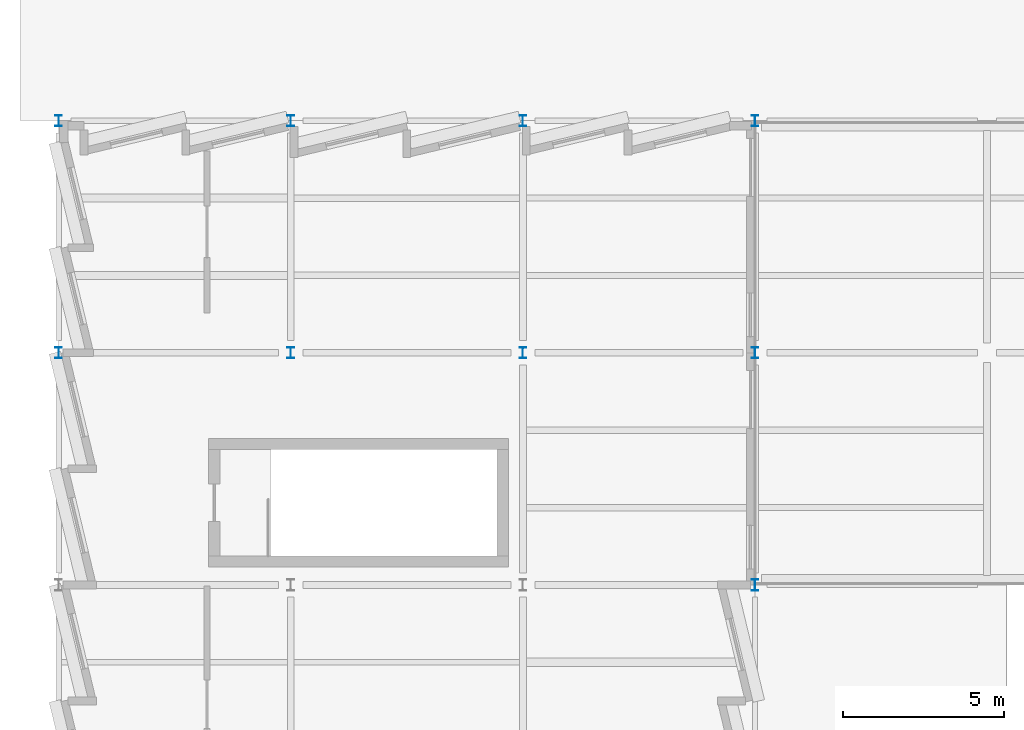
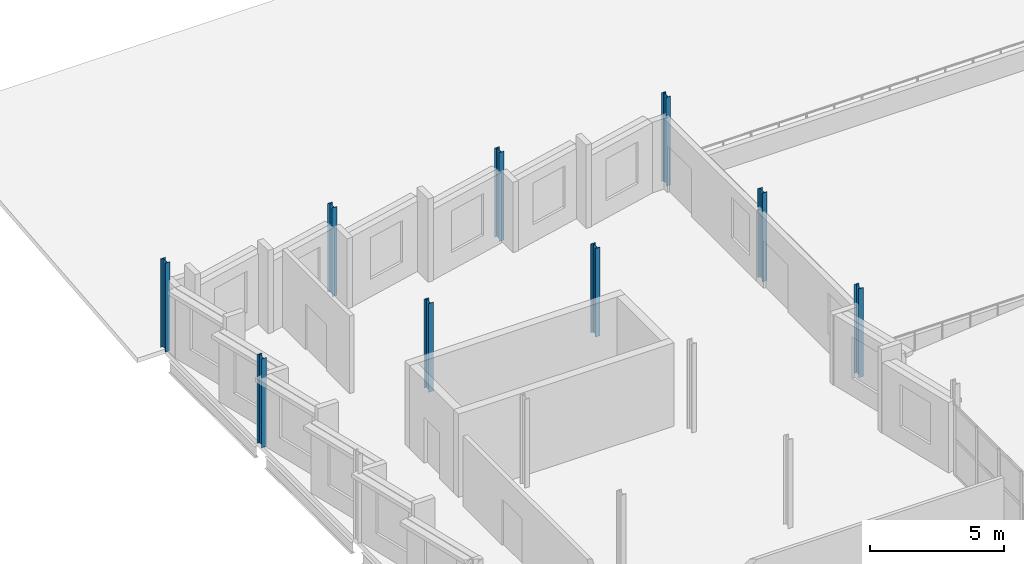
# One storey, part 7 of 38: 9 columns.
"""IFC4 building model written with IfcOpenShell, lengths in metres."""

import ifcopenshell
import ifcopenshell.guid

model = None  # the IFC model being written
_history = None  # IfcOwnerHistory: only IFC2X3 demands one
_inside = {}  # id of a spatial element -> (the spatial element, [elements in it])
_under = {}  # id of a project, library or spatial element -> (it, [spatial elements below it])
_declared = {}  # id of a project -> (the project, [libraries it declares])
_typed = {}  # id of a type object -> (the type object, [elements of that type])
_made_of = {}  # id of a material, layer set ... -> (it, [elements and type objects made of it])


def new_model(schema):
    """Start an empty IFC model of exactly this schema.

    Asked for "IFC4X3", IfcOpenShell would pick the latest addendum, in which some entities
    have other attributes; the version numbers below select the first issue.
    IFC2X3 requires an IfcOwnerHistory on every rooted entity: one is made here for all.
    """
    global model, _history
    if schema == "IFC4X3":
        model = ifcopenshell.file(schema_version=(4, 3, 0, 0))
    else:
        model = ifcopenshell.file(schema=schema)
    _inside.clear()
    _under.clear()
    _declared.clear()
    _typed.clear()
    _made_of.clear()
    _history = None
    if model.schema == "IFC2X3":
        org = make("IfcOrganization", Name="unknown")
        user = make(
            "IfcPersonAndOrganization",
            ThePerson=make("IfcPerson", FamilyName="unknown"),
            TheOrganization=org,
        )
        app = make(
            "IfcApplication",
            ApplicationDeveloper=org,
            Version="unknown",
            ApplicationFullName="unknown",
            ApplicationIdentifier="unknown",
        )
        _history = make(
            "IfcOwnerHistory",
            OwningUser=user,
            OwningApplication=app,
            ChangeAction="ADDED",
            CreationDate=0,
        )
    return model


def make(cls, **values):
    """One entity of the class cls with the attributes given. An attribute that is None is left unset."""
    return model.create_entity(
        cls, **{name: value for name, value in values.items() if value is not None}
    )


def rooted(cls, **values):
    """An entity with a GlobalId (a new one), such as an element, a storey or a relation."""
    return make(cls, GlobalId=ifcopenshell.guid.new(), OwnerHistory=_history, **values)


def si_unit(unit_type, name, prefix=None):
    """IfcSIUnit, for example si_unit("LENGTHUNIT", "METRE", prefix="MILLI")."""
    return make("IfcSIUnit", UnitType=unit_type, Prefix=prefix, Name=name)


def assignment(units):
    """IfcUnitAssignment: the units of a project."""
    return None if units is None else make("IfcUnitAssignment", Units=units)


def point(xyz):
    """IfcCartesianPoint."""
    return None if xyz is None else make("IfcCartesianPoint", Coordinates=xyz)


def direction(xyz):
    """IfcDirection."""
    return None if xyz is None else make("IfcDirection", DirectionRatios=xyz)


def frame(location, z_axis=None, x_axis=None):
    """IfcAxis2Placement3D, a coordinate frame: its origin and axes. An axis left out is left unset."""
    return make(
        "IfcAxis2Placement3D",
        Location=point(location),
        Axis=direction(z_axis),
        RefDirection=direction(x_axis),
    )


def frame_2d(location, x_axis=None):
    """IfcAxis2Placement2D, a coordinate frame in the plane: its origin and x axis."""
    return make(
        "IfcAxis2Placement2D", Location=point(location), RefDirection=direction(x_axis)
    )


def origin():
    """The frame at (0, 0, 0) with its axes left unset."""
    return frame((0.0, 0.0, 0.0))


def origin_2d():
    """The frame at (0, 0) in the plane with its x axis left unset."""
    return frame_2d((0.0, 0.0))


def place(relative_to, where):
    """IfcLocalPlacement: puts the frame where relative to a parent placement (None: the world)."""
    return make(
        "IfcLocalPlacement", PlacementRelTo=relative_to, RelativePlacement=where
    )


def context(
    kind, dimensions, precision=None, world=None, true_north=None, identifier=None
):
    """IfcGeometricRepresentationContext, for example the 3D "Model" context."""
    return make(
        "IfcGeometricRepresentationContext",
        ContextIdentifier=identifier,
        ContextType=kind,
        CoordinateSpaceDimension=dimensions,
        Precision=precision,
        WorldCoordinateSystem=world,
        TrueNorth=true_north,
    )


def subcontext(parent, identifier, kind, view, scale=None):
    """IfcGeometricRepresentationSubContext, for example "Body" below "Model"."""
    return make(
        "IfcGeometricRepresentationSubContext",
        ContextIdentifier=identifier,
        ContextType=kind,
        ParentContext=parent,
        TargetScale=scale,
        TargetView=view,
    )


def project(units=None, contexts=None):
    """IfcProject with its units and contexts."""
    return rooted(
        "IfcProject",
        Name="project",
        RepresentationContexts=contexts,
        UnitsInContext=assignment(units),
    )


def spatial(cls, under=None, at=None, **own):
    """A site, building, storey or space (cls), placed at a placement, below another one or the project."""
    s = rooted(cls, ObjectPlacement=at, **own)
    if under is not None:
        _under.setdefault(under.id(), (under, []))[1].append(s)
    return s


def profile(cls, at=None, kind="AREA", **sizes):
    """A parametric profile (cls). Its sizes go by their IFC names, for example OverallWidth=200.0."""
    return make(cls, ProfileType=kind, Position=at, **sizes)


def i_section(**sizes):
    """IfcIShapeProfileDef."""
    return profile("IfcIShapeProfileDef", **sizes)


def extrude(swept, where, along, depth):
    """IfcExtrudedAreaSolid: the profile swept, set in the frame where, extruded along a direction by depth."""
    return make(
        "IfcExtrudedAreaSolid",
        SweptArea=swept,
        Position=where,
        ExtrudedDirection=direction(along),
        Depth=depth,
    )


def shape(context_of_items, identifier, shape_type, items):
    """IfcShapeRepresentation: the items that make up one representation, for example the "Body"."""
    return make(
        "IfcShapeRepresentation",
        ContextOfItems=context_of_items,
        RepresentationIdentifier=identifier,
        RepresentationType=shape_type,
        Items=items,
    )


def material(Name=None, Category=None):
    """IfcMaterial."""
    return make("IfcMaterial", Name=Name, Category=Category)


def material_profile(
    of_material, cross_section, Name=None, Category=None, Priority=None
):
    """IfcMaterialProfile: a cross section and its material."""
    return make(
        "IfcMaterialProfile",
        Name=Name,
        Material=of_material,
        Profile=cross_section,
        Priority=Priority,
        Category=Category,
    )


def profile_set(profiles, Name=None, composite=None):
    """IfcMaterialProfileSet."""
    return make(
        "IfcMaterialProfileSet",
        Name=Name,
        MaterialProfiles=profiles,
        CompositeProfile=composite,
    )


def made_of(thing, what):
    """Note that an element or type object is made of a material, layer set ...; save() writes the relation."""
    if what is not None:
        _made_of.setdefault(what.id(), (what, []))[1].append(thing)
    return thing


def type_object(cls, material=None, **own):
    """A type object (cls), such as IfcWallType, which elements share."""
    return made_of(rooted(cls, **own), material)


def element(
    cls,
    number,
    at=None,
    inside=None,
    cuts=None,
    type_object=None,
    material=None,
    context=None,
    identifier="Body",
    shape_type=None,
    held_by="IfcProductDefinitionShape",
    body=None,
    shapes=None,
    **own,
):
    """One element of the class cls, such as IfcWall. Its Tag is "e" and its number.

    at: its placement. inside: the storey or other place that contains it. cuts: it is an
    opening in that element (IfcRelVoidsElement). A single representation is given by context,
    identifier, shape_type and body (its items); several are given by shapes. held_by: the class
    of the entity that holds the representations. save() writes the other relations.
    """
    e = rooted(cls, Tag="e%d" % number, ObjectPlacement=at, **own)
    if body is not None:
        shapes = [shape(context, identifier, shape_type, body)]
    if shapes is not None:
        e.Representation = make(held_by, Representations=shapes)
    if inside is not None:
        _inside.setdefault(inside.id(), (inside, []))[1].append(e)
    if cuts is not None:
        rooted(
            "IfcRelVoidsElement", RelatingBuildingElement=cuts, RelatedOpeningElement=e
        )
    if type_object is not None:
        _typed.setdefault(type_object.id(), (type_object, []))[1].append(e)
    return made_of(e, material)


def aggregate(whole, parts):
    """IfcRelAggregates: a whole, such as a stair, and the parts it consists of."""
    return rooted("IfcRelAggregates", RelatingObject=whole, RelatedObjects=parts)


def save(model, path):
    """Write the relations noted so far, then the file.

    IfcRelAggregates (storeys below a building ...), IfcRelContainedInSpatialStructure (elements
    in a storey), IfcRelDefinesByType, IfcRelAssociatesMaterial and IfcRelDeclares: one each for
    every whole, place, type object, material and project.
    """
    for whole, parts in _under.values():
        aggregate(whole, parts)
    for where, things in _inside.values():
        rooted(
            "IfcRelContainedInSpatialStructure",
            RelatedElements=things,
            RelatingStructure=where,
        )
    for kind, things in _typed.values():
        rooted("IfcRelDefinesByType", RelatedObjects=things, RelatingType=kind)
    for what, things in _made_of.values():
        rooted("IfcRelAssociatesMaterial", RelatedObjects=things, RelatingMaterial=what)
    for by, libraries in _declared.values():
        rooted("IfcRelDeclares", RelatingContext=by, RelatedDefinitions=libraries)
    model.write(path)


model = new_model("IFC4")

# Units and contexts
model_context = context("Model", 3, precision=1e-05, world=origin(), true_north=direction((0.0, 1.0)))
body_context = subcontext(model_context, "Body", "Model", "MODEL_VIEW")
ifc_project = project(units=[si_unit("LENGTHUNIT", "METRE"), si_unit("AREAUNIT", "SQUARE_METRE"), si_unit("VOLUMEUNIT", "CUBIC_METRE"), si_unit("PLANEANGLEUNIT", "RADIAN"), si_unit("MASSUNIT", "GRAM", prefix="KILO")], contexts=[model_context])

# Site, building, storey
site_placement = place(None, origin())
site = spatial("IfcSite", under=ifc_project, at=site_placement, CompositionType="ELEMENT")
building_placement = place(site_placement, origin())
building = spatial("IfcBuilding", under=site, at=building_placement, Name="Kalmorath City Hall", CompositionType="ELEMENT")
storey_placement = place(building_placement, frame((0.0, 0.0, 18.89990234375)))
storey = spatial("IfcBuildingStorey", under=building, at=storey_placement, Name="L04", CompositionType="ELEMENT", Elevation=18.89990234375)

# Columns
ifc_material = material(Name="Steel ASTM A992 Grade 50", Category="steel")
ifc_material_profile = material_profile(ifc_material, i_section(OverallWidth=0.2041015625, OverallDepth=0.35009765625, WebThickness=0.008544921875, FlangeThickness=0.01513671875, FilletRadius=0.014892578125, at=origin_2d()), Name="W14X48")
ifc_profile_set = profile_set([ifc_material_profile], Name="Steel ASTM A992 Grade 50")
column_type = type_object("IfcColumnType", Name="Steel wide-flange column W14X48", PredefinedType="COLUMN", material=ifc_profile_set)
for number, where, z_axis, x_axis, name in (
    (1, (0.0, 93.60009765625, 0.0), (0.0, 0.0, 1.0), (1.0, 0.0, 0.0), "L04 column SC6 (1/14)"),
    (2, (0.0, 100.800048828125, 0.0), (0.0, 0.0, 1.0), (1.0, 0.0, 0.0), "L04 column SC6 (1/15)"),
    (3, (7.199951171875, 93.60009765625, 0.0), (0.0, 0.0, 1.0), (1.0, 0.0, 0.0), "L04 column SC6 (2/14)"),
    (4, (7.199951171875, 100.800048828125, 0.0), (0.0, 0.0, 1.0), (1.0, 0.0, 0.0), "L04 column SC6 (2/15)"),
    (5, (14.39990234375, 93.60009765625, 0.0), (0.0, 0.0, 1.0), (1.0, 0.0, 0.0), "L04 column SC6 (3/14)"),
    (6, (14.39990234375, 100.800048828125, 0.0), (0.0, 0.0, 1.0), (1.0, 0.0, 0.0), "L04 column SC6 (3/15)"),
    (7, (21.60009765625, 86.39990234375, 0.0), (0.0, 0.0, 1.0), (1.0, 0.0, 0.0), "L04 column SC6 (4/13)"),
    (8, (21.60009765625, 93.60009765625, 0.0), (0.0, 0.0, 1.0), (1.0, 0.0, 0.0), "L04 column SC6 (4/14)"),
    (9, (21.60009765625, 100.800048828125, 0.0), (0.0, 0.0, 1.0), (1.0, 0.0, 0.0), "L04 column SC6 (4/15)"),
):
    element("IfcColumn", number, at=place(storey_placement, frame(where, z_axis=z_axis, x_axis=x_axis)), inside=storey, type_object=column_type, Name=name, PredefinedType="COLUMN", context=body_context, shape_type="SweptSolid", body=[
        extrude(i_section(OverallWidth=0.2041015625, OverallDepth=0.35009765625, WebThickness=0.008544921875, FlangeThickness=0.01513671875, FilletRadius=0.014892578125, at=origin_2d()), origin(), (0.0, 0.0, 1.0), 4.050048828125),
    ])

save(model, "model.ifc")
